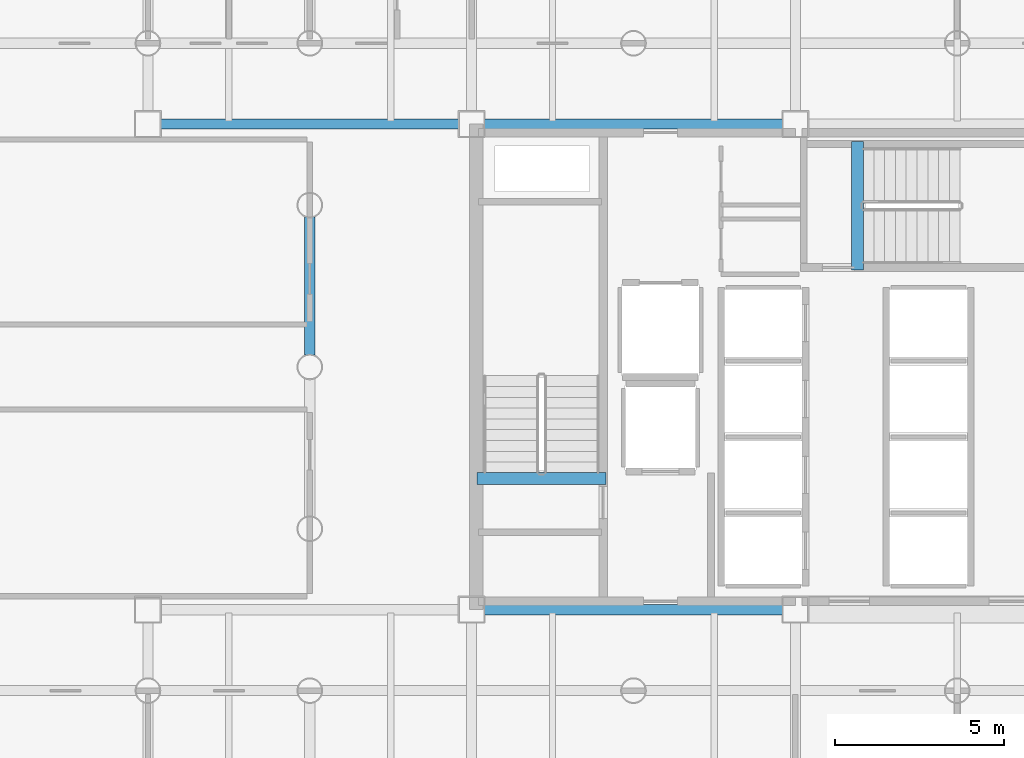
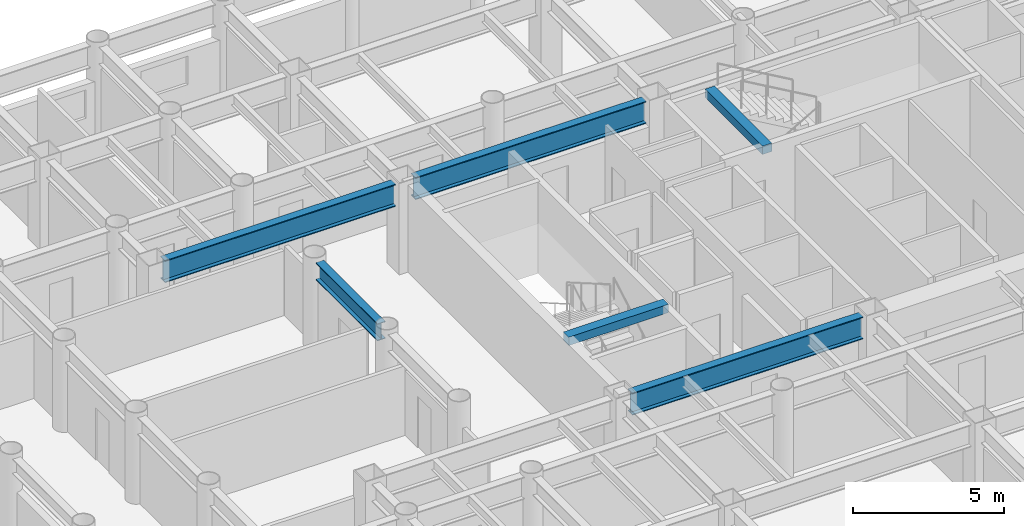
# One storey, part 5 of 21: 6 beams.
"""IFC4 building model written with IfcOpenShell, lengths in metres."""

from ifc_helpers import new_model, si_unit, direction, frame, origin, origin_2d, place, context, subcontext, project, spatial, rectangle, i_section, extrude, material, material_profile, profile_set, type_object, element, save


model = new_model("IFC4")

# Units and contexts
model_context = context("Model", 3, precision=1e-05, world=origin(), true_north=direction((0.0, 1.0)))
body_context = subcontext(model_context, "Body", "Model", "MODEL_VIEW")
ifc_project = project(units=[si_unit("LENGTHUNIT", "METRE"), si_unit("AREAUNIT", "SQUARE_METRE"), si_unit("VOLUMEUNIT", "CUBIC_METRE"), si_unit("PLANEANGLEUNIT", "RADIAN"), si_unit("MASSUNIT", "GRAM", prefix="KILO")], contexts=[model_context])

# Site, building, storey
site_placement = place(None, origin())
site = spatial("IfcSite", under=ifc_project, at=site_placement, CompositionType="ELEMENT")
building_placement = place(site_placement, origin())
building = spatial("IfcBuilding", under=site, at=building_placement, Name="Kallvorn Hotel Tower", CompositionType="ELEMENT")
storey_placement = place(building_placement, frame((0.0, 0.0, 44.800048828125)))
storey = spatial("IfcBuildingStorey", under=building, at=storey_placement, Name="L09", CompositionType="ELEMENT", Elevation=44.800048828125)

# Beams
ifc_material_1 = material(Name="Structural steel S355JR", Category="steel")
ifc_material_profile_1 = material_profile(ifc_material_1, i_section(OverallWidth=0.300048828125, OverallDepth=0.699951171875, WebThickness=0.01708984375, FlangeThickness=0.031982421875, at=origin_2d()), Name="HE 700 B")
ifc_profile_set_1 = profile_set([ifc_material_profile_1], Name="Structural steel S355JR")
beam_type_1 = type_object("IfcBeamType", Name="BM_HE700B", PredefinedType="BEAM", material=ifc_profile_set_1)
beam_1_placement = place(storey_placement, frame((-19.199951171875, 0.35595703125, 3.169921875), z_axis=(0.0, 1.0, 0.0), x_axis=(-1.0, 0.0, 0.0)))
element("IfcBeam", 1, at=beam_1_placement, inside=storey, type_object=beam_type_1, Name="L10 Primary Y-Girder 94", PredefinedType="BEAM", context=body_context, shape_type="SweptSolid", body=[
    extrude(i_section(OverallWidth=0.300048828125, OverallDepth=0.699951171875, WebThickness=0.01708984375, FlangeThickness=0.031982421875, at=origin_2d()), origin(), (0.0, 0.0, 1.0), 4.088134765625),
])
ifc_material_2 = material(Name="Structural steel S355JR", Category="steel")
ifc_material_profile_2 = material_profile(ifc_material_2, i_section(OverallWidth=0.300048828125, OverallDepth=0.89990234375, WebThickness=0.0185546875, FlangeThickness=0.034912109375, at=origin_2d()), Name="HE 900 B")
ifc_profile_set_2 = profile_set([ifc_material_profile_2], Name="Structural steel S355JR")
beam_type_2 = type_object("IfcBeamType", Name="BM_HE900B", PredefinedType="BEAM", material=ifc_profile_set_2)
beam_2_placement = place(storey_placement, frame((-14.02490234375, -7.199951171875, 3.070068359375), z_axis=(1.0, 0.0, 0.0), x_axis=(0.0, 1.0, 0.0)))
element("IfcBeam", 2, at=beam_2_placement, inside=storey, type_object=beam_type_2, Name="L10 Primary X-Girder 34", PredefinedType="BEAM", context=body_context, shape_type="SweptSolid", body=[
    extrude(i_section(OverallWidth=0.300048828125, OverallDepth=0.89990234375, WebThickness=0.0185546875, FlangeThickness=0.034912109375, at=origin_2d()), origin(), (0.0, 0.0, 1.0), 8.849853515625),
])
beam_3_placement = place(storey_placement, frame((-23.625, 7.199951171875, 3.070068359375), z_axis=(1.0, 0.0, 0.0), x_axis=(0.0, 1.0, 0.0)))
element("IfcBeam", 3, at=beam_3_placement, inside=storey, type_object=beam_type_2, Name="L10 Primary X-Girder 37", PredefinedType="BEAM", context=body_context, shape_type="SweptSolid", body=[
    extrude(i_section(OverallWidth=0.300048828125, OverallDepth=0.89990234375, WebThickness=0.0185546875, FlangeThickness=0.034912109375, at=origin_2d()), origin(), (0.0, 0.0, 1.0), 8.85009765625),
])
beam_4_placement = place(storey_placement, frame((-14.02490234375, 7.199951171875, 3.070068359375), z_axis=(1.0, 0.0, 0.0), x_axis=(0.0, 1.0, 0.0)))
element("IfcBeam", 4, at=beam_4_placement, inside=storey, type_object=beam_type_2, Name="L10 Primary X-Girder 38", PredefinedType="BEAM", context=body_context, shape_type="SweptSolid", body=[
    extrude(i_section(OverallWidth=0.300048828125, OverallDepth=0.89990234375, WebThickness=0.0185546875, FlangeThickness=0.034912109375, at=origin_2d()), origin(), (0.0, 0.0, 1.0), 8.849853515625),
])
ifc_material_3 = material(Name="Concrete C50/60", Category="concrete")
ifc_material_profile_3 = material_profile(ifc_material_3, rectangle(XDim=0.360107421875, YDim=0.340087890625, at=origin_2d()), Name="RC 360x340")
ifc_profile_set_3 = profile_set([ifc_material_profile_3], Name="Concrete C50/60")
beam_type_3 = type_object("IfcBeamType", Name="BM_RC_400x360", PredefinedType="BEAM", material=ifc_profile_set_3)
beam_5_placement = place(storey_placement, frame((-10.419921875, -3.31005859375, 3.349853515625), z_axis=(-1.0, 0.0, 0.0), x_axis=(0.0, -1.0, 0.0)))
element("IfcBeam", 5, at=beam_5_placement, inside=storey, type_object=beam_type_3, Name="L10 Stair ST1 Arrival Trimmer Beam", PredefinedType="BEAM", context=body_context, shape_type="SweptSolid", body=[
    extrude(rectangle(XDim=0.360107421875, YDim=0.340087890625, at=origin_2d()), origin(), (0.0, 0.0, 1.0), 3.820068359375),
])
beam_6_placement = place(storey_placement, frame((-2.9599609375, 2.8701171875, 3.349853515625), z_axis=(0.0, 1.0, 0.0), x_axis=(-1.0, 0.0, 0.0)))
element("IfcBeam", 6, at=beam_6_placement, inside=storey, type_object=beam_type_3, Name="L10 Stair ST3 Arrival Trimmer Beam", PredefinedType="BEAM", context=body_context, shape_type="SweptSolid", body=[
    extrude(rectangle(XDim=0.360107421875, YDim=0.340087890625, at=origin_2d()), origin(), (0.0, 0.0, 1.0), 3.81982421875),
])

save(model, "model.ifc")
